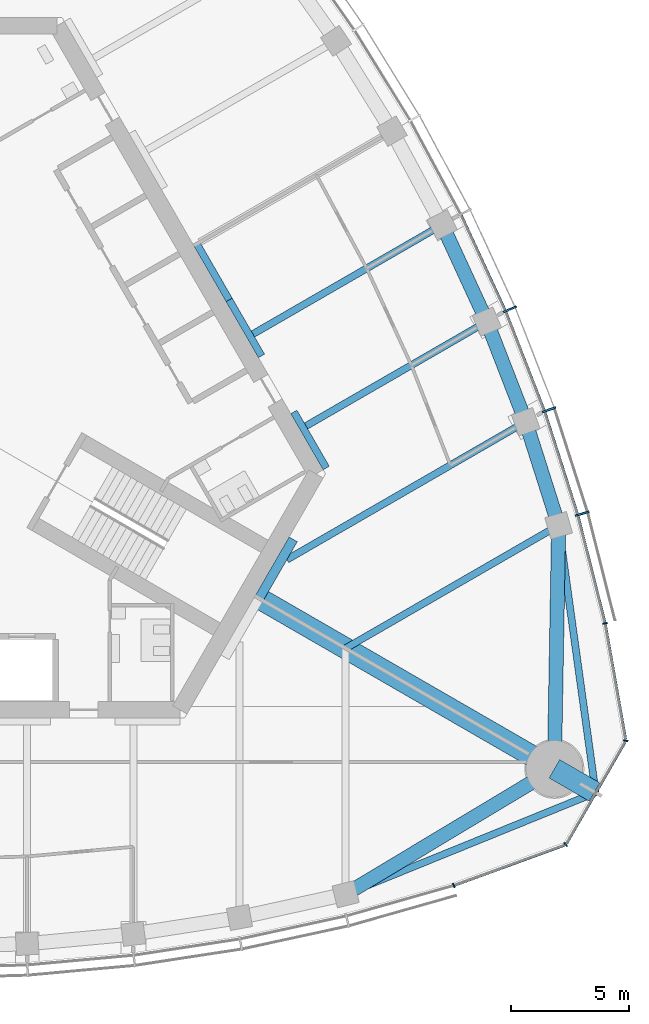
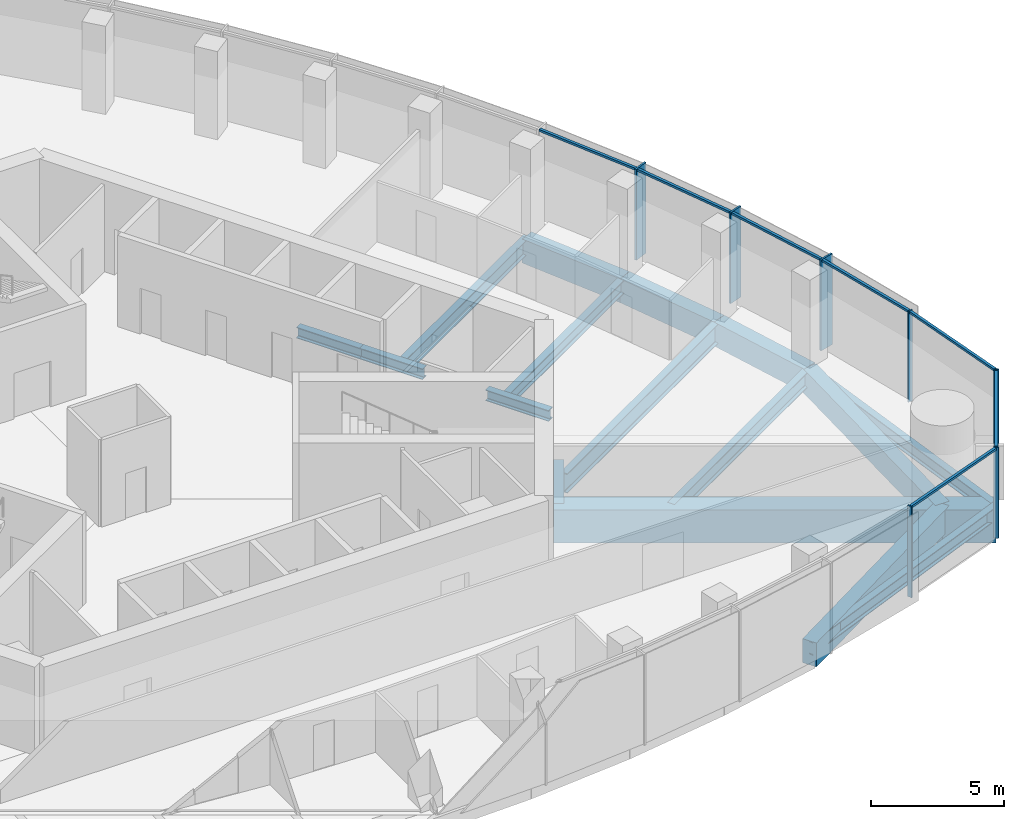
# One storey, part 4 of 16: 17 beams, 14 members, 2 elements without a shape of their own.
"""IFC4 building model written with IfcOpenShell, lengths in metres."""

from ifc_helpers import new_model, si_unit, direction, frame, origin, origin_2d, place, context, subcontext, project, spatial, rectangle, i_section, extrude, material, material_profile, profile_set, type_object, element, aggregate, save


model = new_model("IFC4")

# Units and contexts
model_context = context("Model", 3, precision=1e-05, world=origin(), true_north=direction((0.0, 1.0)))
body_context = subcontext(model_context, "Body", "Model", "MODEL_VIEW")
ifc_project = project(units=[si_unit("LENGTHUNIT", "METRE"), si_unit("AREAUNIT", "SQUARE_METRE"), si_unit("VOLUMEUNIT", "CUBIC_METRE"), si_unit("PLANEANGLEUNIT", "RADIAN"), si_unit("MASSUNIT", "GRAM", prefix="KILO")], contexts=[model_context])

# Site, building, storey
site_placement = place(None, origin())
site = spatial("IfcSite", under=ifc_project, at=site_placement, CompositionType="ELEMENT")
building_placement = place(site_placement, origin())
building = spatial("IfcBuilding", under=site, at=building_placement, Name="Trefoil Bronze Tower", CompositionType="ELEMENT")
storey_placement = place(building_placement, frame((0.0, 0.0, 293.10009765625)))
storey = spatial("IfcBuildingStorey", under=building, at=storey_placement, Name="L67", CompositionType="ELEMENT", Elevation=293.10009765625)

# Curtain wall, members
ifc_material_1 = material(Name="Tinted solar-control glass", Category="glass")
curtain_wall_type_1 = type_object("IfcCurtainWallType", Name="Bronze office curtain wall", PredefinedType="USERDEFINED", material=ifc_material_1)
curtain_wall_1_placement = place(storey_placement, origin())
curtain_wall_1 = element("IfcCurtainWall", 1, at=curtain_wall_1_placement, inside=storey, type_object=curtain_wall_type_1, Name="CW-A L67 F2", ObjectType="CURTAIN WALL", PredefinedType="USERDEFINED")
ifc_material_2 = material(Name="Bronze-finish aluminium", Category="aluminium")
ifc_material_profile_1 = material_profile(ifc_material_2, rectangle(XDim=0.60009765625, YDim=0.080078125, at=origin_2d()), Name="CW-A mullion")
ifc_profile_set_1 = profile_set([ifc_material_profile_1], Name="Bronze-finish aluminium")
member_type_1 = type_object("IfcMemberType", Name="Bronze office curtain wall mullion", PredefinedType="MULLION", material=ifc_profile_set_1)
member_1_placement = place(storey_placement, frame((28.02978515625, -4.685546875, 0.0), z_axis=(0.0, 0.0, 1.0), x_axis=(-0.961395843746, -0.275169096426, 0.0)))
member_1 = element("IfcMember", 2, at=member_1_placement, type_object=member_type_1, Name="CW-A L67 F2 mullion 2", PredefinedType="MULLION", context=body_context, shape_type="SweptSolid", body=[
    extrude(rectangle(XDim=0.60009765625, YDim=0.080078125, at=origin_2d()), origin(), (0.0, 0.0, 1.0), 4.179931640625),
])
member_2_placement = place(storey_placement, frame((26.618896484375, -0.282958984375, 0.0), z_axis=(0.0, 0.0, 1.0), x_axis=(-0.942448408407, -0.334351607581, 0.0)))
member_2 = element("IfcMember", 3, at=member_2_placement, type_object=member_type_1, Name="CW-A L67 F2 mullion 3", PredefinedType="MULLION", context=body_context, shape_type="SweptSolid", body=[
    extrude(rectangle(XDim=0.60009765625, YDim=0.080078125, at=origin_2d()), origin(), (0.0, 0.0, 1.0), 4.179931640625),
])
member_3_placement = place(storey_placement, frame((24.958984375, 3.975830078125, 0.0), z_axis=(0.0, 0.0, 1.0), x_axis=(-0.920205407004, -0.391435829888, 0.0)))
member_3 = element("IfcMember", 4, at=member_3_placement, type_object=member_type_1, Name="CW-A L67 F2 mullion 4", PredefinedType="MULLION", context=body_context, shape_type="SweptSolid", body=[
    extrude(rectangle(XDim=0.60009765625, YDim=0.080078125, at=origin_2d()), origin(), (0.0, 0.0, 1.0), 4.179931640625),
])
ifc_material_3 = material(Name="Bronze-finish aluminium", Category="aluminium")
ifc_material_profile_2 = material_profile(ifc_material_3, rectangle(XDim=0.1201171875, YDim=0.10009765625, at=origin_2d()), Name="CW-A transom")
ifc_profile_set_2 = profile_set([ifc_material_profile_2], Name="Bronze-finish aluminium")
member_type_2 = type_object("IfcMemberType", Name="Bronze office curtain wall transom", PredefinedType="USERDEFINED", material=ifc_profile_set_2)
member_4_placement = place(storey_placement, frame((28.986328125, -9.288330078125, 4.1298828125), z_axis=(-0.244908148095, 0.969546285123, 0.0), x_axis=(-0.969546285123, -0.244908148095, 0.0)))
member_4 = element("IfcMember", 5, at=member_4_placement, type_object=member_type_2, Name="CW-A L67 F2 transom 1", ObjectType="TRANSOM", PredefinedType="USERDEFINED", context=body_context, shape_type="SweptSolid", body=[
    extrude(rectangle(XDim=0.1201171875, YDim=0.10009765625, at=origin_2d()), origin(), (0.0, 0.0, 1.0), 4.6474609375),
])
member_5_placement = place(storey_placement, frame((27.824462890625, -4.699462890625, 4.1298828125), z_axis=(-0.305198606794, 0.95228872219, 0.0), x_axis=(-0.95228872219, -0.305198606794, 0.0)))
member_5 = element("IfcMember", 6, at=member_5_placement, type_object=member_type_2, Name="CW-A L67 F2 transom 2", ObjectType="TRANSOM", PredefinedType="USERDEFINED", context=body_context, shape_type="SweptSolid", body=[
    extrude(rectangle(XDim=0.1201171875, YDim=0.10009765625, at=origin_2d()), origin(), (0.0, 0.0, 1.0), 4.5244140625),
])
member_6_placement = place(storey_placement, frame((26.414794921875, -0.3095703125, 4.1298828125), z_axis=(-0.363178486404, 0.931719586042, 0.0), x_axis=(-0.931719586042, -0.363178486404, 0.0)))
member_6 = element("IfcMember", 7, at=member_6_placement, type_object=member_type_2, Name="CW-A L67 F2 transom 3", ObjectType="TRANSOM", PredefinedType="USERDEFINED", context=body_context, shape_type="SweptSolid", body=[
    extrude(rectangle(XDim=0.1201171875, YDim=0.10009765625, at=origin_2d()), origin(), (0.0, 0.0, 1.0), 4.472412109375),
])
member_7_placement = place(storey_placement, frame((24.7568359375, 3.9365234375, 4.1298828125), z_axis=(-0.4192988407, 0.907848270466, 0.0), x_axis=(-0.907848270466, -0.4192988407, 0.0)))
member_7 = element("IfcMember", 8, at=member_7_placement, type_object=member_type_2, Name="CW-A L67 F2 transom 4", ObjectType="TRANSOM", PredefinedType="USERDEFINED", context=body_context, shape_type="SweptSolid", body=[
    extrude(rectangle(XDim=0.1201171875, YDim=0.10009765625, at=origin_2d()), origin(), (0.0, 0.0, 1.0), 4.4384765625),
])
aggregate(curtain_wall_1, [member_1, member_2, member_3, member_4, member_5, member_6, member_7])

ifc_material_4 = material(Name="Tinted solar-control glass", Category="glass")
curtain_wall_type_2 = type_object("IfcCurtainWallType", Name="Bronze rounded corner curtain wall", PredefinedType="USERDEFINED", material=ifc_material_4)
curtain_wall_2_placement = place(storey_placement, origin())
curtain_wall_2 = element("IfcCurtainWall", 9, at=curtain_wall_2_placement, inside=storey, type_object=curtain_wall_type_2, Name="CW-B L67 K1", ObjectType="CURTAIN WALL", PredefinedType="USERDEFINED")
ifc_material_5 = material(Name="Bronze-finish aluminium", Category="aluminium")
ifc_material_profile_3 = material_profile(ifc_material_5, rectangle(XDim=0.199951171875, YDim=0.06005859375, at=origin_2d()), Name="CW-B mullion")
ifc_profile_set_3 = profile_set([ifc_material_profile_3], Name="Bronze-finish aluminium")
member_type_3 = type_object("IfcMemberType", Name="Bronze rounded corner curtain wall mullion", PredefinedType="MULLION", material=ifc_profile_set_3)
member_8_placement = place(storey_placement, frame((22.58251953125, -20.445556640625, 0.0), z_axis=(0.0, 0.0, 1.0), x_axis=(-0.342020143326, 0.939692620786, 0.0)))
member_8 = element("IfcMember", 10, at=member_8_placement, type_object=member_type_3, Name="CW-B L67 K1 mullion 1", PredefinedType="MULLION", context=body_context, shape_type="SweptSolid", body=[
    extrude(rectangle(XDim=0.199951171875, YDim=0.06005859375, at=origin_2d()), origin(), (0.0, 0.0, 1.0), 4.179931640625),
])
member_9_placement = place(storey_placement, frame((27.326416015625, -18.712646484375, 0.0), z_axis=(0.0, 0.0, 1.0), x_axis=(-0.642787609687, 0.766044443119, 0.0)))
member_9 = element("IfcMember", 11, at=member_9_placement, type_object=member_type_3, Name="CW-B L67 K1 mullion 2", PredefinedType="MULLION", context=body_context, shape_type="SweptSolid", body=[
    extrude(rectangle(XDim=0.199951171875, YDim=0.06005859375, at=origin_2d()), origin(), (0.0, 0.0, 1.0), 4.179931640625),
])
member_10_placement = place(storey_placement, frame((29.86865234375, -14.30908203125, 0.0), z_axis=(0.0, 0.0, 1.0), x_axis=(-0.984807753012, 0.173648177667, 0.0)))
member_10 = element("IfcMember", 12, at=member_10_placement, type_object=member_type_3, Name="CW-B L67 K1 mullion 3", PredefinedType="MULLION", context=body_context, shape_type="SweptSolid", body=[
    extrude(rectangle(XDim=0.199951171875, YDim=0.06005859375, at=origin_2d()), origin(), (0.0, 0.0, 1.0), 4.179931640625),
])
member_11_placement = place(storey_placement, frame((28.99755859375, -9.334228515625, 0.0), z_axis=(0.0, 0.0, 1.0), x_axis=(-0.984807753012, -0.173648177667, 0.0)))
member_11 = element("IfcMember", 13, at=member_11_placement, type_object=member_type_3, Name="CW-B L67 K1 mullion 4", PredefinedType="MULLION", context=body_context, shape_type="SweptSolid", body=[
    extrude(rectangle(XDim=0.199951171875, YDim=0.06005859375, at=origin_2d()), origin(), (0.0, 0.0, 1.0), 4.179931640625),
])
ifc_material_6 = material(Name="Bronze-finish aluminium", Category="aluminium")
ifc_material_profile_4 = material_profile(ifc_material_6, rectangle(XDim=0.1201171875, YDim=0.10009765625, at=origin_2d()), Name="CW-B transom")
ifc_profile_set_4 = profile_set([ifc_material_profile_4], Name="Bronze-finish aluminium")
member_type_4 = type_object("IfcMemberType", Name="Bronze rounded corner curtain wall transom", PredefinedType="USERDEFINED", material=ifc_profile_set_4)
member_12_placement = place(storey_placement, frame((22.610595703125, -20.435302734375, 4.1298828125), z_axis=(0.93969990549, 0.342000128103, 0.0), x_axis=(-0.342000128103, 0.93969990549, 0.0)))
member_12 = element("IfcMember", 14, at=member_12_placement, type_object=member_type_4, Name="CW-B L67 K1 transom 1", ObjectType="TRANSOM", PredefinedType="USERDEFINED", context=body_context, shape_type="SweptSolid", body=[
    extrude(rectangle(XDim=0.1201171875, YDim=0.10009765625, at=origin_2d()), origin(), (0.0, 0.0, 1.0), 4.956298828125),
])
member_13_placement = place(storey_placement, frame((27.36376953125, -18.659912109375, 4.1298828125), z_axis=(0.499985403706, 0.866033830794, 0.0), x_axis=(-0.866033830794, 0.499985403706, 0.0)))
member_13 = element("IfcMember", 15, at=member_13_placement, type_object=member_type_4, Name="CW-B L67 K1 transom 2", ObjectType="TRANSOM", PredefinedType="USERDEFINED", context=body_context, shape_type="SweptSolid", body=[
    extrude(rectangle(XDim=0.1201171875, YDim=0.10009765625, at=origin_2d()), origin(), (0.0, 0.0, 1.0), 4.956298828125),
])
member_14_placement = place(storey_placement, frame((29.863525390625, -14.244873046875, 4.1298828125), z_axis=(-0.173633591509, 0.984810324834, 0.0), x_axis=(-0.984810324834, -0.173633591509, 0.0)))
member_14 = element("IfcMember", 16, at=member_14_placement, type_object=member_type_4, Name="CW-B L67 K1 transom 3", ObjectType="TRANSOM", PredefinedType="USERDEFINED", context=body_context, shape_type="SweptSolid", body=[
    extrude(rectangle(XDim=0.1201171875, YDim=0.10009765625, at=origin_2d()), origin(), (0.0, 0.0, 1.0), 4.956298828125),
])
aggregate(curtain_wall_2, [member_8, member_9, member_10, member_11, member_12, member_13, member_14])

# Beams
ifc_material_7 = material(Name="Steel C355", Category="steel")
ifc_material_profile_5 = material_profile(ifc_material_7, i_section(OverallWidth=0.300048828125, OverallDepth=0.5, WebThickness=0.014404296875, FlangeThickness=0.028076171875, FilletRadius=0.027099609375, at=origin_2d()), Name="HEB 500")
ifc_profile_set_5 = profile_set([ifc_material_profile_5], Name="Steel C355")
beam_type_1 = type_object("IfcBeamType", Name="Core seat beam HEB 500", PredefinedType="BEAM", material=ifc_profile_set_5)
for number, where, z_axis, x_axis, name in (
    (17, (17.17626953125, -2.75, -0.4501953125), (-0.500035825175, 0.866004719122, 0.0), (-0.866004719122, -0.500035825175, 0.0), "Core seat beam F2/-2 L67"),
    (18, (14.433837890625, 2.0, -0.4501953125), (-0.500035825175, 0.866004719122, 0.0), (-0.866004719122, -0.500035825175, 0.0), "Core seat beam F2/-1 L67"),
    (19, (13.0625, 4.375, -0.4501953125), (-0.499969057507, 0.866043267704, 0.0), (-0.866043267704, -0.499969057507, 0.0), "Core seat beam F2/+0 L67"),
):
    element("IfcBeam", number, at=place(storey_placement, frame(where, z_axis=z_axis, x_axis=x_axis)), inside=storey, type_object=beam_type_1, Name=name, PredefinedType="BEAM", context=body_context, shape_type="SweptSolid", body=[
        extrude(i_section(OverallWidth=0.300048828125, OverallDepth=0.5, WebThickness=0.014404296875, FlangeThickness=0.028076171875, FilletRadius=0.027099609375, at=origin_2d()), origin(), (0.0, 0.0, 1.0), 2.742431640625),
    ])
ifc_material_8 = material(Name="Steel C355", Category="steel")
ifc_material_profile_6 = material_profile(ifc_material_8, i_section(OverallWidth=0.39990234375, OverallDepth=1.199951171875, WebThickness=0.02001953125, FlangeThickness=0.0400390625, FilletRadius=0.010009765625, at=origin_2d()), Name="WPG 1200")
ifc_profile_set_6 = profile_set([ifc_material_profile_6], Name="Steel C355")
beam_type_2 = type_object("IfcBeamType", Name="Core seat beam WPG 1200", PredefinedType="BEAM", material=ifc_profile_set_6)
beam_1_placement = place(storey_placement, frame((14.332763671875, -8.27490234375, -0.800048828125), z_axis=(0.499995765644, 0.866027848477, 0.0), x_axis=(-0.866027848477, 0.499995765644, 0.0)))
element("IfcBeam", 20, at=beam_1_placement, inside=storey, type_object=beam_type_2, Name="Core seat beam F2/-3 L67", PredefinedType="BEAM", context=body_context, shape_type="SweptSolid", body=[
    extrude(i_section(OverallWidth=0.39990234375, OverallDepth=1.199951171875, WebThickness=0.02001953125, FlangeThickness=0.0400390625, FilletRadius=0.010009765625, at=origin_2d()), origin(), (0.0, 0.0, 1.0), 2.88671875),
])
ifc_material_9 = material(Name="Concrete B80", Category="concrete")
ifc_material_profile_7 = material_profile(ifc_material_9, rectangle(XDim=0.89990234375, YDim=1.5, at=origin_2d()), Name="RC 900x1500")
ifc_profile_set_7 = profile_set([ifc_material_profile_7], Name="Concrete B80")
beam_type_3 = type_object("IfcBeamType", Name="Corner cantilever RC 900x1500", PredefinedType="BEAM", material=ifc_profile_set_7)
beam_2_placement = place(storey_placement, frame((26.8466796875, -15.5, -0.9501953125), z_axis=(0.866010470582, -0.500025864173, 0.0), x_axis=(0.500025864173, 0.866010470582, 0.0)))
element("IfcBeam", 21, at=beam_2_placement, inside=storey, type_object=beam_type_3, Name="Corner cantilever K1 L67", PredefinedType="BEAM", context=body_context, shape_type="SweptSolid", body=[
    extrude(rectangle(XDim=0.89990234375, YDim=1.5, at=origin_2d()), origin(), (0.0, 0.0, 1.0), 2.02001953125),
])
ifc_material_10 = material(Name="Steel C355", Category="steel")
ifc_material_profile_8 = material_profile(ifc_material_10, i_section(OverallWidth=0.300048828125, OverallDepth=0.60009765625, WebThickness=0.015380859375, FlangeThickness=0.030029296875, FilletRadius=0.027099609375, at=origin_2d()), Name="HEB 600")
ifc_profile_set_8 = profile_set([ifc_material_profile_8], Name="Steel C355")
beam_type_4 = type_object("IfcBeamType", Name="Corner edge beam HEB 600", PredefinedType="BEAM", material=ifc_profile_set_8)
beam_3_placement = place(storey_placement, frame((18.0, -20.816162109375, -0.5), z_axis=(0.926419351914, 0.376493272714, 0.0), x_axis=(-0.376493272714, 0.926419351914, 0.0)))
element("IfcBeam", 22, at=beam_3_placement, inside=storey, type_object=beam_type_4, Name="Corner edge beam F1A L67", PredefinedType="BEAM", context=body_context, shape_type="SweptSolid", body=[
    extrude(i_section(OverallWidth=0.300048828125, OverallDepth=0.60009765625, WebThickness=0.015380859375, FlangeThickness=0.030029296875, FilletRadius=0.027099609375, at=origin_2d()), origin(), (0.0, 0.0, 1.0), 11.4375),
])
beam_4_placement = place(storey_placement, frame((27.02734375, -5.180419921875, -0.5), z_axis=(0.137143714313, -0.990551160529, 0.0), x_axis=(0.990551160529, 0.137143714313, 0.0)))
element("IfcBeam", 23, at=beam_4_placement, inside=storey, type_object=beam_type_4, Name="Corner edge beam F2B L67", PredefinedType="BEAM", context=body_context, shape_type="SweptSolid", body=[
    extrude(i_section(OverallWidth=0.300048828125, OverallDepth=0.60009765625, WebThickness=0.015380859375, FlangeThickness=0.030029296875, FilletRadius=0.027099609375, at=origin_2d()), origin(), (0.0, 0.0, 1.0), 11.437744140625),
])
ifc_material_11 = material(Name="Concrete B80", Category="concrete")
ifc_material_profile_9 = material_profile(ifc_material_11, rectangle(XDim=0.89990234375, YDim=1.5, at=origin_2d()), Name="RC 900x1500")
ifc_profile_set_9 = profile_set([ifc_material_profile_9], Name="Concrete B80")
beam_type_5 = type_object("IfcBeamType", Name="Corner girder RC 900x1500", PredefinedType="BEAM", material=ifc_profile_set_9)
beam_5_placement = place(storey_placement, frame((14.159423828125, -8.175048828125, -0.9501953125), z_axis=(0.866026568746, -0.499997982221, 0.0), x_axis=(0.499997982221, 0.866026568746, 0.0)))
element("IfcBeam", 24, at=beam_5_placement, inside=storey, type_object=beam_type_5, Name="Corner girder K1 L67", PredefinedType="BEAM", context=body_context, shape_type="SweptSolid", body=[
    extrude(rectangle(XDim=0.89990234375, YDim=1.5, at=origin_2d()), origin(), (0.0, 0.0, 1.0), 14.64990234375),
])
ifc_material_12 = material(Name="Concrete B80", Category="concrete")
ifc_material_profile_10 = material_profile(ifc_material_12, rectangle(XDim=0.60009765625, YDim=1.10009765625, at=origin_2d()), Name="RC 600x1100")
ifc_profile_set_10 = profile_set([ifc_material_profile_10], Name="Concrete B80")
beam_type_6 = type_object("IfcBeamType", Name="End spandrel beam RC 600x1100", PredefinedType="SPANDREL", material=ifc_profile_set_10)
for number, where, z_axis, x_axis, name in (
    (25, (18.0, -20.816162109375, -0.75), (0.857144173035, 0.515076563855, 0.0), (-0.515076563855, 0.857144173035, 0.0), "Spandrel F1.10 L67"),
    (26, (26.8466796875, -15.5, -0.75), (0.017504237714, 0.999846789094, 0.0), (-0.999846789094, 0.017504237714, 0.0), "Spandrel F2.1 L67"),
):
    element("IfcBeam", number, at=place(storey_placement, frame(where, z_axis=z_axis, x_axis=x_axis)), inside=storey, type_object=beam_type_6, Name=name, PredefinedType="SPANDREL", context=body_context, shape_type="SweptSolid", body=[
        extrude(rectangle(XDim=0.60009765625, YDim=1.10009765625, at=origin_2d()), origin(), (0.0, 0.0, 1.0), 10.321044921875),
    ])
ifc_material_13 = material(Name="Steel C355", Category="steel")
ifc_material_profile_11 = material_profile(ifc_material_13, i_section(OverallWidth=0.300048828125, OverallDepth=0.60009765625, WebThickness=0.015380859375, FlangeThickness=0.030029296875, FilletRadius=0.027099609375, at=origin_2d()), Name="HEB 600")
ifc_profile_set_11 = profile_set([ifc_material_profile_11], Name="Steel C355")
beam_type_7 = type_object("IfcBeamType", Name="Floor beam HEB 600", PredefinedType="BEAM", material=ifc_profile_set_11)
beam_6_placement = place(storey_placement, frame((23.98486328125, 3.455322265625, -0.5), z_axis=(-0.866025701847, -0.499999483739, 0.0), x_axis=(0.499999483739, -0.866025701847, 0.0)))
element("IfcBeam", 27, at=beam_6_placement, inside=storey, type_object=beam_type_7, Name="Floor beam F2/-2 L67", PredefinedType="BEAM", context=body_context, shape_type="SweptSolid", body=[
    extrude(i_section(OverallWidth=0.300048828125, OverallDepth=0.60009765625, WebThickness=0.015380859375, FlangeThickness=0.030029296875, FilletRadius=0.027099609375, at=origin_2d()), origin(), (0.0, 0.0, 1.0), 8.84912109375),
])
ifc_material_14 = material(Name="Steel C355", Category="steel")
ifc_material_profile_12 = material_profile(ifc_material_14, i_section(OverallWidth=0.300048828125, OverallDepth=0.699951171875, WebThickness=0.01708984375, FlangeThickness=0.031982421875, FilletRadius=0.027099609375, at=origin_2d()), Name="HEB 700")
ifc_profile_set_12 = profile_set([ifc_material_profile_12], Name="Steel C355")
beam_type_8 = type_object("IfcBeamType", Name="Floor beam HEB 700", PredefinedType="BEAM", material=ifc_profile_set_12)
beam_7_placement = place(storey_placement, frame((27.02734375, -5.180419921875, -0.550048828125), z_axis=(-0.866026453994, -0.499998180979, 0.0), x_axis=(0.499998180979, -0.866026453994, 0.0)))
element("IfcBeam", 28, at=beam_7_placement, inside=storey, type_object=beam_type_8, Name="Floor beam F2/-4 L67", PredefinedType="BEAM", context=body_context, shape_type="SweptSolid", body=[
    extrude(i_section(OverallWidth=0.300048828125, OverallDepth=0.699951171875, WebThickness=0.01708984375, FlangeThickness=0.031982421875, FilletRadius=0.027099609375, at=origin_2d()), origin(), (0.0, 0.0, 1.0), 10.423828125),
])
beam_8_placement = place(storey_placement, frame((22.093994140625, 7.559814453125, -0.550048828125), z_axis=(-0.866028909405, -0.499993928037, 0.0), x_axis=(0.499993928037, -0.866028909405, 0.0)))
element("IfcBeam", 29, at=beam_8_placement, inside=storey, type_object=beam_type_8, Name="Floor beam F2/-1 L67", PredefinedType="BEAM", context=body_context, shape_type="SweptSolid", body=[
    extrude(i_section(OverallWidth=0.300048828125, OverallDepth=0.699951171875, WebThickness=0.01708984375, FlangeThickness=0.031982421875, FilletRadius=0.027099609375, at=origin_2d()), origin(), (0.0, 0.0, 1.0), 9.263671875),
])
ifc_material_15 = material(Name="Steel C355", Category="steel")
ifc_material_profile_13 = material_profile(ifc_material_15, i_section(OverallWidth=0.300048828125, OverallDepth=0.89990234375, WebThickness=0.0185546875, FlangeThickness=0.034912109375, FilletRadius=0.030029296875, at=origin_2d()), Name="HEB 900")
ifc_profile_set_13 = profile_set([ifc_material_profile_13], Name="Steel C355")
beam_type_9 = type_object("IfcBeamType", Name="Floor beam HEB 900", PredefinedType="BEAM", material=ifc_profile_set_13)
beam_9_placement = place(storey_placement, frame((25.631591796875, -0.7900390625, -0.650146484375), z_axis=(-0.866026929639, -0.499997357134, 0.0), x_axis=(0.499997357134, -0.866026929639, 0.0)))
element("IfcBeam", 30, at=beam_9_placement, inside=storey, type_object=beam_type_9, Name="Floor beam F2/-3 L67", PredefinedType="BEAM", context=body_context, shape_type="SweptSolid", body=[
    extrude(i_section(OverallWidth=0.300048828125, OverallDepth=0.89990234375, WebThickness=0.0185546875, FlangeThickness=0.034912109375, FilletRadius=0.030029296875, at=origin_2d()), origin(), (0.0, 0.0, 1.0), 11.68505859375),
])
ifc_material_16 = material(Name="Concrete B80", Category="concrete")
ifc_material_profile_14 = material_profile(ifc_material_16, rectangle(XDim=0.60009765625, YDim=1.10009765625, at=origin_2d()), Name="RC 600x1100")
ifc_profile_set_14 = profile_set([ifc_material_profile_14], Name="Concrete B80")
beam_type_10 = type_object("IfcBeamType", Name="Spandrel beam RC 600x1100", PredefinedType="SPANDREL", material=ifc_profile_set_14)
beam_10_placement = place(storey_placement, frame((27.02734375, -5.180419921875, -0.75), z_axis=(-0.302969597344, 0.953000221975, 0.0), x_axis=(-0.953000221975, -0.302969597344, 0.0)))
element("IfcBeam", 31, at=beam_10_placement, inside=storey, type_object=beam_type_10, Name="Spandrel F2.2 L67", PredefinedType="SPANDREL", context=body_context, shape_type="SweptSolid", body=[
    extrude(rectangle(XDim=0.60009765625, YDim=1.10009765625, at=origin_2d()), origin(), (0.0, 0.0, 1.0), 4.60693359375),
])
beam_11_placement = place(storey_placement, frame((25.631591796875, -0.7900390625, -0.75), z_axis=(-0.361636286502, 0.932319256631, 0.0), x_axis=(-0.932319256631, -0.361636286502, 0.0)))
element("IfcBeam", 32, at=beam_11_placement, inside=storey, type_object=beam_type_10, Name="Spandrel F2.3 L67", PredefinedType="SPANDREL", context=body_context, shape_type="SweptSolid", body=[
    extrude(rectangle(XDim=0.60009765625, YDim=1.10009765625, at=origin_2d()), origin(), (0.0, 0.0, 1.0), 4.553466796875),
])
beam_12_placement = place(storey_placement, frame((23.98486328125, 3.455322265625, -0.75), z_axis=(-0.418417425199, 0.90825484215, 0.0), x_axis=(-0.90825484215, -0.418417425199, 0.0)))
element("IfcBeam", 33, at=beam_12_placement, inside=storey, type_object=beam_type_10, Name="Spandrel F2.4 L67", PredefinedType="SPANDREL", context=body_context, shape_type="SweptSolid", body=[
    extrude(rectangle(XDim=0.60009765625, YDim=1.10009765625, at=origin_2d()), origin(), (0.0, 0.0, 1.0), 4.51904296875),
])

save(model, "model.ifc")
